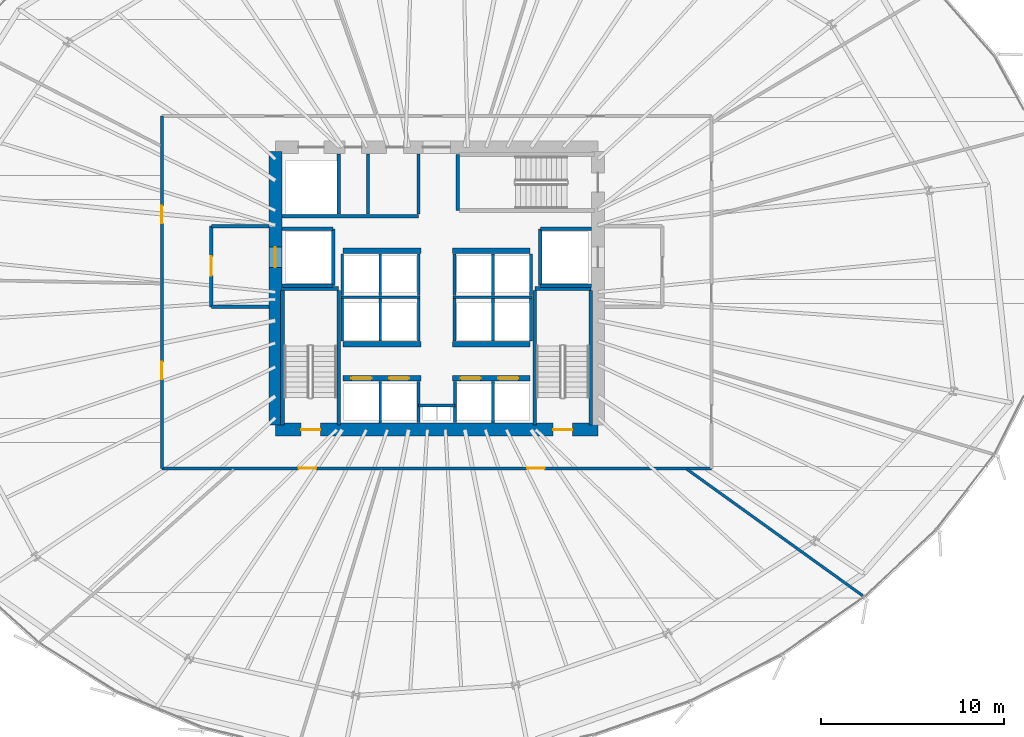
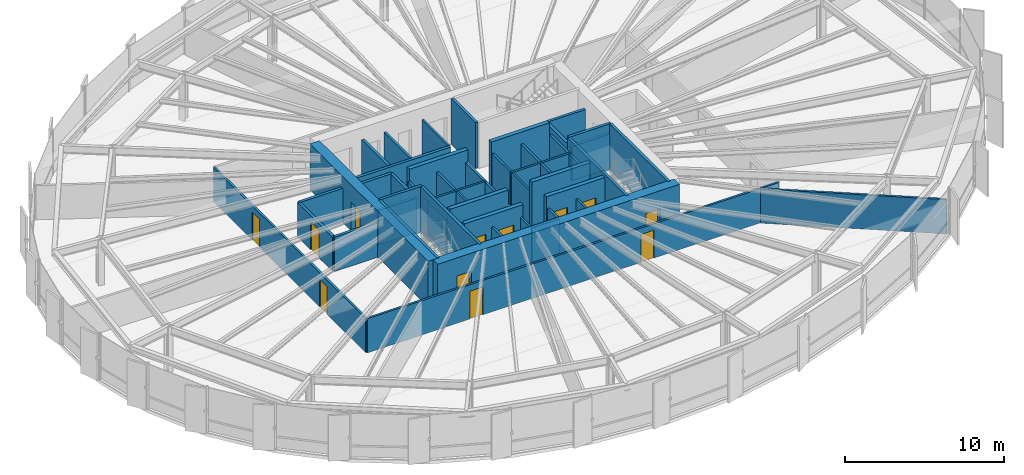
# One storey, part 30 of 37: 50 walls, 12 doors, 12 openings.
"""IFC4 building model written with IfcOpenShell, lengths in metres."""

from ifc_helpers import new_model, si_unit, direction, frame, frame_2d, origin, place, context, subcontext, project, spatial, rectangle, extrude, source, transform, mapped, material, layer, layer_set, type_object, element, fill, save


model = new_model("IFC4")

# Units and contexts
model_context = context("Model", 3, precision=1e-05, world=origin(), true_north=direction((0.0, 1.0)))
body_context = subcontext(model_context, "Body", "Model", "MODEL_VIEW")
ifc_project = project(units=[si_unit("LENGTHUNIT", "METRE"), si_unit("AREAUNIT", "SQUARE_METRE"), si_unit("VOLUMEUNIT", "CUBIC_METRE"), si_unit("PLANEANGLEUNIT", "RADIAN"), si_unit("MASSUNIT", "GRAM", prefix="KILO"), si_unit("THERMODYNAMICTEMPERATUREUNIT", "KELVIN")], contexts=[model_context])

# Site, building, storey
site_placement = place(None, origin())
site = spatial("IfcSite", under=ifc_project, at=site_placement, CompositionType="ELEMENT")
building_placement = place(site_placement, origin())
building = spatial("IfcBuilding", under=site, at=building_placement, Name="Kethvar Cultural Tower", CompositionType="ELEMENT")
storey_placement = place(building_placement, frame((0.0, 0.0, 60.0)))
storey = spatial("IfcBuildingStorey", under=building, at=storey_placement, Name="L14", CompositionType="ELEMENT", Elevation=60.0)

# Wall, openings, doors
ifc_material_1 = material(Name="Concrete C60/75", Category="concrete")
ifc_layer_1 = layer(ifc_material_1, 0.699951171875, Name="Concrete C60/75", Category="concrete")
ifc_layer_set_1 = layer_set([ifc_layer_1], Name="Concrete C60/75 (700 mm)")
wall_type_1 = type_object("IfcWallType", Name="WL-CORE-700", PredefinedType="SHEAR", material=ifc_layer_set_1)
wall_1_placement = place(storey_placement, frame((38.0, 20.10009765625, 0.0), z_axis=(0.0, 0.0, 1.0), x_axis=(1.0, 0.0, 0.0)))
wall_1 = element("IfcWall", 1, at=wall_1_placement, inside=storey, type_object=wall_type_1, Name="L14 Core Shear Wall S", PredefinedType="SHEAR", context=body_context, shape_type="SweptSolid", body=[
    extrude(rectangle(XDim=17.60009765625, YDim=0.699951171875, at=frame_2d((8.800048828125, 0.0))), origin(), (0.0, 0.0, 1.0), 3.550048828125),
])
opening_1_placement = place(wall_1_placement, frame((1.39990234375, 0.0, 0.0)))
opening_1 = element("IfcOpeningElement", 2, at=opening_1_placement, cuts=wall_1, Name="Opening D-L14-S1", PredefinedType="OPENING", context=body_context, shape_type="SweptSolid", body=[
    extrude(rectangle(XDim=1.050048828125, YDim=2.14990234375, at=frame_2d((0.52490234375, 1.074951171875))), frame((0.0, 0.35986328125, 0.0), z_axis=(0.0, -1.0, 0.0), x_axis=(1.0, 0.0, 0.0)), (0.0, 0.0, 1.0), 0.719970703125),
])
opening_2_placement = place(wall_1_placement, frame((15.14990234375, 0.0, 0.0)))
opening_2 = element("IfcOpeningElement", 3, at=opening_2_placement, cuts=wall_1, Name="Opening D-L14-ST2", PredefinedType="OPENING", context=body_context, shape_type="SweptSolid", body=[
    extrude(rectangle(XDim=1.050048828125, YDim=2.14990234375, at=frame_2d((0.52490234375, 1.074951171875))), frame((0.0, 0.35986328125, 0.0), z_axis=(0.0, -1.0, 0.0), x_axis=(1.0, 0.0, 0.0)), (0.0, 0.0, 1.0), 0.719970703125),
])
ifc_material_2 = material(Name="Steel S355J2", Category="steel")
door_type_1 = type_object("IfcDoorType", Name="DR-FD60-1050", OperationType="NOTDEFINED", PredefinedType="DOOR", material=ifc_material_2)
shared_shape_1 = source(origin(), body_context, "Body", "SweptSolid", [
    extrude(rectangle(XDim=1.050048828125, YDim=2.14990234375, at=frame_2d((0.52490234375, 1.074951171875))), frame((0.0, 0.02490234375, 0.0), z_axis=(0.0, -1.0, 0.0), x_axis=(1.0, 0.0, 0.0)), (0.0, 0.0, 1.0), 0.050048828125),
])
door_1_placement = place(opening_1_placement, origin())
door_1 = element("IfcDoor", 4, at=door_1_placement, inside=storey, type_object=door_type_1, Name="L14 Exit Stair 1 Door", OperationType="SINGLE_SWING_LEFT", OverallHeight=2.14990234375, OverallWidth=1.050048828125, PredefinedType="DOOR", context=body_context, shape_type="MappedRepresentation", body=[
    mapped(shared_shape_1, transform((0.0, 0.0, 0.0), scale=1.0)),
])
fill(opening_1, door_1)
door_2_placement = place(opening_2_placement, origin())
door_2 = element("IfcDoor", 5, at=door_2_placement, inside=storey, type_object=door_type_1, Name="L14 Exit Stair 2 Door", OperationType="SINGLE_SWING_RIGHT", OverallHeight=2.14990234375, OverallWidth=1.050048828125, PredefinedType="DOOR", context=body_context, shape_type="MappedRepresentation", body=[
    mapped(shared_shape_1, transform((0.0, 0.0, 0.0), scale=1.0)),
])
fill(opening_2, door_2)

# Wall, opening, door
wall_2_placement = place(storey_placement, frame((38.0, 35.260009765625, 0.0), z_axis=(0.0, 0.0, 1.0), x_axis=(0.0, -1.0, 0.0)))
wall_2 = element("IfcWall", 6, at=wall_2_placement, inside=storey, type_object=wall_type_1, Name="L14 Core Shear Wall W", PredefinedType="SHEAR", context=body_context, shape_type="SweptSolid", body=[
    extrude(rectangle(XDim=14.919921875, YDim=0.699951171875, at=frame_2d((7.4599609375, 0.0))), origin(), (0.0, 0.0, 1.0), 3.550048828125),
])
opening_3_placement = place(wall_2_placement, frame((5.2099609375, 0.0, 0.0)))
opening_3 = element("IfcOpeningElement", 7, at=opening_3_placement, cuts=wall_2, Name="Opening LD-1", PredefinedType="OPENING", context=body_context, shape_type="SweptSolid", body=[
    extrude(rectangle(XDim=1.10009765625, YDim=2.199951171875, at=frame_2d((0.550048828125, 1.10009765625))), frame((0.0, 0.35986328125, 0.0), z_axis=(0.0, -1.0, 0.0), x_axis=(1.0, 0.0, 0.0)), (0.0, 0.0, 1.0), 0.719970703125),
])
door_type_2 = type_object("IfcDoorType", Name="DR-LIFT-SLIDE-1100", OperationType="NOTDEFINED", PredefinedType="DOOR", material=ifc_material_2)
shared_shape_2 = source(origin(), body_context, "Body", "SweptSolid", [
    extrude(rectangle(XDim=1.10009765625, YDim=2.199951171875, at=frame_2d((0.550048828125, 1.10009765625))), frame((0.0, 0.02490234375, 0.0), z_axis=(0.0, -1.0, 0.0), x_axis=(1.0, 0.0, 0.0)), (0.0, 0.0, 1.0), 0.050048828125),
])
door_3_placement = place(opening_3_placement, origin())
door_3 = element("IfcDoor", 8, at=door_3_placement, inside=storey, type_object=door_type_2, Name="L14 Firefighting Lift Landing Door FFL-01", OperationType="SLIDING_TO_LEFT", OverallHeight=2.199951171875, OverallWidth=1.10009765625, PredefinedType="DOOR", context=body_context, shape_type="MappedRepresentation", body=[
    mapped(shared_shape_2, transform((0.0, 0.0, 0.0), scale=1.0)),
])
fill(opening_3, door_3)

# Walls
ifc_material_3 = material(Name="Gypsum Fireboard Partition")
ifc_layer_2 = layer(ifc_material_3, 0.14990234375, Name="Gypsum Fireboard Partition")
ifc_layer_set_2 = layer_set([ifc_layer_2], Name="Gypsum Fireboard Partition (150 mm)")
wall_type_2 = type_object("IfcWallType", Name="WL-FIRE-150", PredefinedType="PARTITIONING", material=ifc_layer_set_2)
wall_3_placement = place(storey_placement, frame((45.800048828125, 21.419921875, 0.0), z_axis=(0.0, 0.0, 1.0), x_axis=(1.0, 0.0, 0.0)))
element("IfcWall", 9, at=wall_3_placement, inside=storey, type_object=wall_type_2, Name="L14 Core Riser Wall", PredefinedType="PARTITIONING", context=body_context, shape_type="SweptSolid", body=[
    extrude(rectangle(XDim=2.0, YDim=0.14990234375, at=frame_2d((1.0, 0.0))), origin(), (0.0, 0.0, 1.0), 2.64501953125),
])
for number, where, z_axis, x_axis, name in (
    (10, (45.800048828125, 20.47998046875, 0.0), (0.0, 0.0, 1.0), (0.0, 1.0, 0.0), "L14 Core Riser West Wall"),
    (11, (47.800048828125, 20.47998046875, 0.0), (0.0, 0.0, 1.0), (0.0, 1.0, 0.0), "L14 Core Riser East Wall"),
):
    element("IfcWall", number, at=place(storey_placement, frame(where, z_axis=z_axis, x_axis=x_axis)), inside=storey, type_object=wall_type_2, Name=name, PredefinedType="PARTITIONING", context=body_context, shape_type="SweptSolid", body=[
        extrude(rectangle(XDim=2.239990234375, YDim=0.14990234375, at=frame_2d((1.1201171875, 0.0))), origin(), (0.0, 0.0, 1.0), 2.64501953125),
    ])
for number, where, z_axis, x_axis, name in (
    (12, (43.72509765625, 20.4599609375, 0.0), (0.0, 0.0, 1.0), (0.0, 1.0, 0.0), "L14 Low-Rise Lift Shaft Divider W"),
    (13, (49.875, 20.4599609375, 0.0), (0.0, 0.0, 1.0), (0.0, 1.0, 0.0), "L14 Low-Rise Lift Shaft Divider E"),
):
    element("IfcWall", number, at=place(storey_placement, frame(where, z_axis=z_axis, x_axis=x_axis)), inside=storey, type_object=wall_type_2, Name=name, PredefinedType="PARTITIONING", context=body_context, shape_type="SweptSolid", body=[
        extrude(rectangle(XDim=2.27001953125, YDim=0.14990234375, at=frame_2d((1.135009765625, 0.0))), origin(), (0.0, 0.0, 1.0), 2.64501953125),
    ])
wall_4_placement = place(storey_placement, frame((41.580078125, 27.324951171875, 0.0), z_axis=(0.0, 0.0, 1.0), x_axis=(1.0, 0.0, 0.0)))
element("IfcWall", 14, at=wall_4_placement, inside=storey, type_object=wall_type_2, Name="L14 Mid-High Lift Shaft Back Wall W", PredefinedType="PARTITIONING", context=body_context, shape_type="SweptSolid", body=[
    extrude(rectangle(XDim=4.31982421875, YDim=0.14990234375, at=frame_2d((2.159912109375, 0.0))), origin(), (0.0, 0.0, 1.0), 2.64501953125),
])
wall_5_placement = place(storey_placement, frame((47.699951171875, 27.324951171875, 0.0), z_axis=(0.0, 0.0, 1.0), x_axis=(1.0, 0.0, 0.0)))
element("IfcWall", 15, at=wall_5_placement, inside=storey, type_object=wall_type_2, Name="L14 Mid-High Lift Shaft Back Wall E", PredefinedType="PARTITIONING", context=body_context, shape_type="SweptSolid", body=[
    extrude(rectangle(XDim=4.320068359375, YDim=0.14990234375, at=frame_2d((2.16015625, 0.0))), origin(), (0.0, 0.0, 1.0), 2.64501953125),
])
for number, where, z_axis, x_axis, name in (
    (16, (41.64990234375, 24.919921875, 0.0), (0.0, 0.0, 1.0), (0.0, 1.0, 0.0), "L14 Mid-Rise Lift Shaft Outer Wall W"),
    (17, (43.72509765625, 24.919921875, 0.0), (0.0, 0.0, 1.0), (0.0, 1.0, 0.0), "L14 Mid-Rise Lift Shaft Divider W"),
    (18, (45.824951171875, 24.919921875, 0.0), (0.0, 0.0, 1.0), (0.0, 1.0, 0.0), "L14 Mid-Rise Lift Shaft Concourse Wall W"),
    (19, (47.77490234375, 24.919921875, 0.0), (0.0, 0.0, 1.0), (0.0, 1.0, 0.0), "L14 Mid-Rise Lift Shaft Concourse Wall E"),
    (20, (49.875, 24.919921875, 0.0), (0.0, 0.0, 1.0), (0.0, 1.0, 0.0), "L14 Mid-Rise Lift Shaft Divider E"),
    (21, (51.949951171875, 24.919921875, 0.0), (0.0, 0.0, 1.0), (0.0, 1.0, 0.0), "L14 Mid-Rise Lift Shaft Outer Wall E"),
):
    element("IfcWall", number, at=place(storey_placement, frame(where, z_axis=z_axis, x_axis=x_axis)), inside=storey, type_object=wall_type_2, Name=name, PredefinedType="PARTITIONING", context=body_context, shape_type="SweptSolid", body=[
        extrude(rectangle(XDim=2.320068359375, YDim=0.14990234375, at=frame_2d((1.16015625, 0.0))), origin(), (0.0, 0.0, 1.0), 2.64501953125),
    ])
for number, where, z_axis, x_axis, name in (
    (22, (41.64990234375, 27.409912109375, 0.0), (0.0, 0.0, 1.0), (0.0, 1.0, 0.0), "L14 High-Rise Lift Shaft Outer Wall W"),
    (23, (43.72509765625, 27.409912109375, 0.0), (0.0, 0.0, 1.0), (0.0, 1.0, 0.0), "L14 High-Rise Lift Shaft Divider W"),
    (24, (45.824951171875, 27.409912109375, 0.0), (0.0, 0.0, 1.0), (0.0, 1.0, 0.0), "L14 High-Rise Lift Shaft Concourse Wall W"),
    (25, (47.77490234375, 27.409912109375, 0.0), (0.0, 0.0, 1.0), (0.0, 1.0, 0.0), "L14 High-Rise Lift Shaft Concourse Wall E"),
    (26, (49.875, 27.409912109375, 0.0), (0.0, 0.0, 1.0), (0.0, 1.0, 0.0), "L14 High-Rise Lift Shaft Divider E"),
    (27, (51.949951171875, 27.409912109375, 0.0), (0.0, 0.0, 1.0), (0.0, 1.0, 0.0), "L14 High-Rise Lift Shaft Outer Wall E"),
):
    element("IfcWall", number, at=place(storey_placement, frame(where, z_axis=z_axis, x_axis=x_axis)), inside=storey, type_object=wall_type_2, Name=name, PredefinedType="PARTITIONING", context=body_context, shape_type="SweptSolid", body=[
        extrude(rectangle(XDim=2.27001953125, YDim=0.14990234375, at=frame_2d((1.135009765625, 0.0))), origin(), (0.0, 0.0, 1.0), 2.64501953125),
    ])
wall_6_placement = place(storey_placement, frame((45.800048828125, 31.85009765625, 0.0), z_axis=(0.0, 0.0, 1.0), x_axis=(0.0, 1.0, 0.0)))
element("IfcWall", 28, at=wall_6_placement, inside=storey, type_object=wall_type_2, Name="L14 Sanitary Spine Wall", PredefinedType="PARTITIONING", context=body_context, shape_type="SweptSolid", body=[
    extrude(rectangle(XDim=3.289794921875, YDim=0.14990234375, at=frame_2d((1.64501953125, 0.0))), origin(), (0.0, 0.0, 1.0), 2.64501953125),
])

# Wall, openings, doors
wall_7_placement = place(storey_placement, frame((31.81005859375, 17.97998046875, 0.0), z_axis=(0.0, 0.0, 1.0), x_axis=(1.0, 0.0, 0.0)))
wall_7 = element("IfcWall", 29, at=wall_7_placement, inside=storey, type_object=wall_type_2, Name="L14 Corridor Rated Wall S", PredefinedType="PARTITIONING", context=body_context, shape_type="SweptSolid", body=[
    extrude(rectangle(XDim=29.97998046875, YDim=0.14990234375, at=frame_2d((14.989990234375, 0.0))), origin(), (0.0, 0.0, 1.0), 2.64501953125),
])
opening_4_placement = place(wall_7_placement, frame((7.461181640625, 0.0, 0.0)))
opening_4 = element("IfcOpeningElement", 30, at=opening_4_placement, cuts=wall_7, Name="Opening D-L14-01", PredefinedType="OPENING", context=body_context, shape_type="SweptSolid", body=[
    extrude(rectangle(XDim=0.949951171875, YDim=2.14990234375, at=frame_2d((0.47509765625, 1.074951171875))), frame((0.0, 0.0849609375, 0.0), z_axis=(0.0, -1.0, 0.0), x_axis=(1.0, 0.0, 0.0)), (0.0, 0.0, 1.0), 0.169921875),
])
opening_5_placement = place(wall_7_placement, frame((19.92724609375, 0.0, 0.0)))
opening_5 = element("IfcOpeningElement", 31, at=opening_5_placement, cuts=wall_7, Name="Opening D-L14-02", PredefinedType="OPENING", context=body_context, shape_type="SweptSolid", body=[
    extrude(rectangle(XDim=0.949951171875, YDim=2.14990234375, at=frame_2d((0.47509765625, 1.074951171875))), frame((0.0, 0.0849609375, 0.0), z_axis=(0.0, -1.0, 0.0), x_axis=(1.0, 0.0, 0.0)), (0.0, 0.0, 1.0), 0.169921875),
])
ifc_material_4 = material(Name="Architectural Oak Timber", Category="wood")
door_type_3 = type_object("IfcDoorType", Name="DR-FD30-950", OperationType="NOTDEFINED", PredefinedType="DOOR", material=ifc_material_4)
shared_shape_3 = source(origin(), body_context, "Body", "SweptSolid", [
    extrude(rectangle(XDim=0.949951171875, YDim=2.14990234375, at=frame_2d((0.47509765625, 1.074951171875))), frame((0.0, 0.02490234375, 0.0), z_axis=(0.0, -1.0, 0.0), x_axis=(1.0, 0.0, 0.0)), (0.0, 0.0, 1.0), 0.050048828125),
])
door_4_placement = place(opening_4_placement, origin())
door_4 = element("IfcDoor", 32, at=door_4_placement, inside=storey, type_object=door_type_3, Name="L14 Contemporary Art Salon 01 Door", OperationType="SINGLE_SWING_LEFT", OverallHeight=2.14990234375, OverallWidth=0.949951171875, PredefinedType="DOOR", context=body_context, shape_type="MappedRepresentation", body=[
    mapped(shared_shape_3, transform((0.0, 0.0, 0.0), scale=1.0)),
])
fill(opening_4, door_4)
door_5_placement = place(opening_5_placement, origin())
door_5 = element("IfcDoor", 33, at=door_5_placement, inside=storey, type_object=door_type_3, Name="L14 Main Public Reading Library 02 Door", OperationType="SINGLE_SWING_RIGHT", OverallHeight=2.14990234375, OverallWidth=0.949951171875, PredefinedType="DOOR", context=body_context, shape_type="MappedRepresentation", body=[
    mapped(shared_shape_3, transform((0.0, 0.0, 0.0), scale=1.0)),
])
fill(opening_5, door_5)

wall_8_placement = place(storey_placement, frame((31.81005859375, 37.199951171875, 0.0), z_axis=(0.0, 0.0, 1.0), x_axis=(0.0, -1.0, 0.0)))
wall_8 = element("IfcWall", 34, at=wall_8_placement, inside=storey, type_object=wall_type_2, Name="L14 Corridor Rated Wall W", PredefinedType="PARTITIONING", context=body_context, shape_type="SweptSolid", body=[
    extrude(rectangle(XDim=19.219970703125, YDim=0.14990234375, at=frame_2d((9.60986328125, 0.0))), origin(), (0.0, 0.0, 1.0), 2.64501953125),
])
opening_6_placement = place(wall_8_placement, frame((4.90087890625, 0.0, 0.0)))
opening_6 = element("IfcOpeningElement", 35, at=opening_6_placement, cuts=wall_8, Name="Opening D-L14-09", PredefinedType="OPENING", context=body_context, shape_type="SweptSolid", body=[
    extrude(rectangle(XDim=0.949951171875, YDim=2.14990234375, at=frame_2d((0.47509765625, 1.074951171875))), frame((0.0, 0.0849609375, 0.0), z_axis=(0.0, -1.0, 0.0), x_axis=(1.0, 0.0, 0.0)), (0.0, 0.0, 1.0), 0.169921875),
])
opening_7_placement = place(wall_8_placement, frame((13.410888671875, 0.0, 0.0)))
opening_7 = element("IfcOpeningElement", 36, at=opening_7_placement, cuts=wall_8, Name="Opening D-L14-10", PredefinedType="OPENING", context=body_context, shape_type="SweptSolid", body=[
    extrude(rectangle(XDim=0.949951171875, YDim=2.14990234375, at=frame_2d((0.47509765625, 1.074951171875))), frame((0.0, 0.0849609375, 0.0), z_axis=(0.0, -1.0, 0.0), x_axis=(1.0, 0.0, 0.0)), (0.0, 0.0, 1.0), 0.169921875),
])
door_6_placement = place(opening_6_placement, origin())
door_6 = element("IfcDoor", 37, at=door_6_placement, inside=storey, type_object=door_type_3, Name="L14 Fellowship Seminar Room 09 Door", OperationType="SINGLE_SWING_LEFT", OverallHeight=2.14990234375, OverallWidth=0.949951171875, PredefinedType="DOOR", context=body_context, shape_type="MappedRepresentation", body=[
    mapped(shared_shape_3, transform((0.0, 0.0, 0.0), scale=1.0)),
])
fill(opening_6, door_6)
door_7_placement = place(opening_7_placement, origin())
door_7 = element("IfcDoor", 38, at=door_7_placement, inside=storey, type_object=door_type_3, Name="L14 Editorial Partner Office 10 Door", OperationType="SINGLE_SWING_RIGHT", OverallHeight=2.14990234375, OverallWidth=0.949951171875, PredefinedType="DOOR", context=body_context, shape_type="MappedRepresentation", body=[
    mapped(shared_shape_3, transform((0.0, 0.0, 0.0), scale=1.0)),
])
fill(opening_7, door_7)

# Walls
ifc_material_5 = material(Name="Concrete C40/50", Category="concrete")
ifc_layer_3 = layer(ifc_material_5, 0.199951171875, Name="Concrete C40/50", Category="concrete")
ifc_layer_set_3 = layer_set([ifc_layer_3], Name="Concrete C40/50 (200 mm)")
wall_type_3 = type_object("IfcWallType", Name="WL-FIRE-200", PredefinedType="PARTITIONING", material=ifc_layer_set_3)
wall_9_placement = place(storey_placement, frame((41.14990234375, 27.949951171875, 0.0), z_axis=(0.0, 0.0, 1.0), x_axis=(0.0, 1.0, 0.0)))
element("IfcWall", 39, at=wall_9_placement, inside=storey, type_object=wall_type_3, Name="L14 FFL-01 Shaft Inner Wall", PredefinedType="PARTITIONING", context=body_context, shape_type="SweptSolid", body=[
    extrude(rectangle(XDim=3.10009765625, YDim=0.199951171875, at=frame_2d((1.550048828125, 0.0))), origin(), (0.0, 0.0, 1.0), 2.64501953125),
])
for number, where, z_axis, x_axis, name in (
    (40, (38.360107421875, 27.949951171875, 0.0), (0.0, 0.0, 1.0), (1.0, 0.0, 0.0), "L14 FFL-01 Shaft South Wall"),
    (41, (38.360107421875, 31.050048828125, 0.0), (0.0, 0.0, 1.0), (1.0, 0.0, 0.0), "L14 FFL-01 Shaft North Wall"),
):
    element("IfcWall", number, at=place(storey_placement, frame(where, z_axis=z_axis, x_axis=x_axis)), inside=storey, type_object=wall_type_3, Name=name, PredefinedType="PARTITIONING", context=body_context, shape_type="SweptSolid", body=[
        extrude(rectangle(XDim=2.789794921875, YDim=0.199951171875, at=frame_2d((1.39501953125, 0.0))), origin(), (0.0, 0.0, 1.0), 2.64501953125),
    ])

# Wall, opening, door
wall_10_placement = place(storey_placement, frame((34.5, 31.199951171875, 0.0), z_axis=(0.0, 0.0, 1.0), x_axis=(0.0, -1.0, 0.0)))
wall_10 = element("IfcWall", 42, at=wall_10_placement, inside=storey, type_object=wall_type_3, Name="L14 Firefighting Lobby 1 Wall", PredefinedType="PARTITIONING", context=body_context, shape_type="SweptSolid", body=[
    extrude(rectangle(XDim=4.39990234375, YDim=0.199951171875, at=frame_2d((2.199951171875, 0.0))), origin(), (0.0, 0.0, 1.0), 2.64501953125),
])
opening_8_placement = place(wall_10_placement, frame((1.64990234375, 0.0, 0.0)))
opening_8 = element("IfcOpeningElement", 43, at=opening_8_placement, cuts=wall_10, Name="Opening D-L14-F1", PredefinedType="OPENING", context=body_context, shape_type="SweptSolid", body=[
    extrude(rectangle(XDim=1.050048828125, YDim=2.14990234375, at=frame_2d((0.52490234375, 1.074951171875))), frame((0.0, 0.10986328125, 0.0), z_axis=(0.0, -1.0, 0.0), x_axis=(1.0, 0.0, 0.0)), (0.0, 0.0, 1.0), 0.219970703125),
])
door_8_placement = place(opening_8_placement, origin())
door_8 = element("IfcDoor", 44, at=door_8_placement, inside=storey, type_object=door_type_1, Name="L14 Firefighting Lobby 1 Fire Door", OperationType="SINGLE_SWING_LEFT", OverallHeight=2.14990234375, OverallWidth=1.050048828125, PredefinedType="DOOR", context=body_context, shape_type="MappedRepresentation", body=[
    mapped(shared_shape_1, transform((0.0, 0.0, 0.0), scale=1.0)),
])
fill(opening_8, door_8)

# Walls
for number, where, z_axis, x_axis, name in (
    (45, (34.5, 26.800048828125, 0.0), (0.0, 0.0, 1.0), (1.0, 0.0, 0.0), "L14 FF Lobby 1 South Wall"),
    (46, (34.5, 31.199951171875, 0.0), (0.0, 0.0, 1.0), (1.0, 0.0, 0.0), "L14 FF Lobby 1 North Wall"),
):
    element("IfcWall", number, at=place(storey_placement, frame(where, z_axis=z_axis, x_axis=x_axis)), inside=storey, type_object=wall_type_3, Name=name, PredefinedType="PARTITIONING", context=body_context, shape_type="SweptSolid", body=[
        extrude(rectangle(XDim=3.139892578125, YDim=0.199951171875, at=frame_2d((1.56982421875, 0.0))), origin(), (0.0, 0.0, 1.0), 2.64501953125),
    ])
wall_11_placement = place(storey_placement, frame((52.449951171875, 27.949951171875, 0.0), z_axis=(0.0, 0.0, 1.0), x_axis=(0.0, 1.0, 0.0)))
element("IfcWall", 47, at=wall_11_placement, inside=storey, type_object=wall_type_3, Name="L14 FFL-02 Shaft Inner Wall", PredefinedType="PARTITIONING", context=body_context, shape_type="SweptSolid", body=[
    extrude(rectangle(XDim=3.10009765625, YDim=0.199951171875, at=frame_2d((1.550048828125, 0.0))), origin(), (0.0, 0.0, 1.0), 2.64501953125),
])
for number, where, z_axis, x_axis, name in (
    (48, (52.449951171875, 27.949951171875, 0.0), (0.0, 0.0, 1.0), (1.0, 0.0, 0.0), "L14 FFL-02 Shaft South Wall"),
    (49, (52.449951171875, 31.050048828125, 0.0), (0.0, 0.0, 1.0), (1.0, 0.0, 0.0), "L14 FFL-02 Shaft North Wall"),
):
    element("IfcWall", number, at=place(storey_placement, frame(where, z_axis=z_axis, x_axis=x_axis)), inside=storey, type_object=wall_type_3, Name=name, PredefinedType="PARTITIONING", context=body_context, shape_type="SweptSolid", body=[
        extrude(rectangle(XDim=2.7900390625, YDim=0.199951171875, at=frame_2d((1.39501953125, 0.0))), origin(), (0.0, 0.0, 1.0), 2.64501953125),
    ])
wall_12_placement = place(storey_placement, frame((41.449951171875, 31.85009765625, 0.0), z_axis=(0.0, 0.0, 1.0), x_axis=(0.0, 1.0, 0.0)))
element("IfcWall", 50, at=wall_12_placement, inside=storey, type_object=wall_type_3, Name="L14 NW Core Pocket Wall", PredefinedType="PARTITIONING", context=body_context, shape_type="SweptSolid", body=[
    extrude(rectangle(XDim=3.289794921875, YDim=0.199951171875, at=frame_2d((1.64501953125, 0.0))), origin(), (0.0, 0.0, 1.0), 2.64501953125),
])
wall_13_placement = place(storey_placement, frame((38.360107421875, 31.72998046875, 0.0), z_axis=(0.0, 0.0, 1.0), x_axis=(1.0, 0.0, 0.0)))
element("IfcWall", 51, at=wall_13_placement, inside=storey, type_object=wall_type_3, Name="L14 North Core Sanitary South Wall", PredefinedType="PARTITIONING", context=body_context, shape_type="SweptSolid", body=[
    extrude(rectangle(XDim=7.43994140625, YDim=0.199951171875, at=frame_2d((3.719970703125, 0.0))), origin(), (0.0, 0.0, 1.0), 2.64501953125),
])
ifc_material_6 = material(Name="Gypsum Acoustic Partition")
ifc_layer_4 = layer(ifc_material_6, 0.14990234375, Name="Gypsum Acoustic Partition")
ifc_layer_set_4 = layer_set([ifc_layer_4], Name="Gypsum Acoustic Partition (150 mm)")
wall_type_4 = type_object("IfcWallType", Name="WL-PART-150", PredefinedType="PARTITIONING", material=ifc_layer_set_4)
wall_14_placement = place(storey_placement, frame((60.45751953125, 17.933349609375, 0.0), z_axis=(0.0, 0.0, 1.0), x_axis=(0.811709736276, -0.584061044785, 0.0)))
element("IfcWall", 52, at=wall_14_placement, inside=storey, type_object=wall_type_4, Name="L14 Radial Partition Wall 03", PredefinedType="PARTITIONING", context=body_context, shape_type="SweptSolid", body=[
    extrude(rectangle(XDim=11.799072265625, YDim=0.14990234375, at=frame_2d((5.8994140625, 0.0))), origin(), (0.0, 0.0, 1.0), 2.64501953125),
])
ifc_material_7 = material(Name="Moisture-Resistant Sanitary Chase Wall")
ifc_layer_5 = layer(ifc_material_7, 0.14990234375, Name="Moisture-Resistant Sanitary Chase Wall")
ifc_layer_set_5 = layer_set([ifc_layer_5], Name="Moisture-Resistant Sanitary Chase Wall (150 mm)")
wall_type_5 = type_object("IfcWallType", Name="WL-PLUMB-150", PredefinedType="PLUMBINGWALL", material=ifc_layer_set_5)
wall_15_placement = place(storey_placement, frame((43.050048828125, 31.85009765625, 0.0), z_axis=(0.0, 0.0, 1.0), x_axis=(0.0, 1.0, 0.0)))
element("IfcWall", 53, at=wall_15_placement, inside=storey, type_object=wall_type_5, Name="L14 Sanitary Plumbing Wall", PredefinedType="PLUMBINGWALL", context=body_context, shape_type="SweptSolid", body=[
    extrude(rectangle(XDim=3.289794921875, YDim=0.14990234375, at=frame_2d((1.64501953125, 0.0))), origin(), (0.0, 0.0, 1.0), 2.64501953125),
])

# Wall, openings, doors
ifc_material_8 = material(Name="Concrete C50/60", Category="concrete")
ifc_layer_6 = layer(ifc_material_8, 0.300048828125, Name="Concrete C50/60", Category="concrete")
ifc_layer_set_6 = layer_set([ifc_layer_6], Name="Concrete C50/60 (300 mm)")
wall_type_6 = type_object("IfcWallType", Name="WL-SHAFT-300", PredefinedType="SHEAR", material=ifc_layer_set_6)
wall_16_placement = place(storey_placement, frame((41.699951171875, 22.89990234375, 0.0), z_axis=(0.0, 0.0, 1.0), x_axis=(1.0, 0.0, 0.0)))
wall_16 = element("IfcWall", 54, at=wall_16_placement, inside=storey, type_object=wall_type_6, Name="L14 Core Lift Spine Wall MID1W", PredefinedType="SHEAR", context=body_context, shape_type="SweptSolid", body=[
    extrude(rectangle(XDim=4.25, YDim=0.300048828125, at=frame_2d((2.125, 0.0))), origin(), (0.0, 0.0, 1.0), 3.550048828125),
])
opening_9_placement = place(wall_16_placement, frame((0.449951171875, 0.0, 0.0)))
opening_9 = element("IfcOpeningElement", 55, at=opening_9_placement, cuts=wall_16, Name="Opening LD-L1", PredefinedType="OPENING", context=body_context, shape_type="SweptSolid", body=[
    extrude(rectangle(XDim=1.10009765625, YDim=2.199951171875, at=frame_2d((0.550048828125, 1.10009765625))), frame((0.0, 0.159912109375, 0.0), z_axis=(0.0, -1.0, 0.0), x_axis=(1.0, 0.0, 0.0)), (0.0, 0.0, 1.0), 0.320068359375),
])
opening_10_placement = place(wall_16_placement, frame((2.5, 0.0, 0.0)))
opening_10 = element("IfcOpeningElement", 56, at=opening_10_placement, cuts=wall_16, Name="Opening LD-L2", PredefinedType="OPENING", context=body_context, shape_type="SweptSolid", body=[
    extrude(rectangle(XDim=1.10009765625, YDim=2.199951171875, at=frame_2d((0.550048828125, 1.10009765625))), frame((0.0, 0.159912109375, 0.0), z_axis=(0.0, -1.0, 0.0), x_axis=(1.0, 0.0, 0.0)), (0.0, 0.0, 1.0), 0.320068359375),
])
door_9_placement = place(opening_9_placement, origin())
door_9 = element("IfcDoor", 57, at=door_9_placement, inside=storey, type_object=door_type_2, Name="L14 Low-Rise Lift Landing Door L1", OperationType="SLIDING_TO_LEFT", OverallHeight=2.199951171875, OverallWidth=1.10009765625, PredefinedType="DOOR", context=body_context, shape_type="MappedRepresentation", body=[
    mapped(shared_shape_2, transform((0.0, 0.0, 0.0), scale=1.0)),
])
fill(opening_9, door_9)
door_10_placement = place(opening_10_placement, origin())
door_10 = element("IfcDoor", 58, at=door_10_placement, inside=storey, type_object=door_type_2, Name="L14 Low-Rise Lift Landing Door L2", OperationType="SLIDING_TO_LEFT", OverallHeight=2.199951171875, OverallWidth=1.10009765625, PredefinedType="DOOR", context=body_context, shape_type="MappedRepresentation", body=[
    mapped(shared_shape_2, transform((0.0, 0.0, 0.0), scale=1.0)),
])
fill(opening_10, door_10)

wall_17_placement = place(storey_placement, frame((47.64990234375, 22.89990234375, 0.0), z_axis=(0.0, 0.0, 1.0), x_axis=(1.0, 0.0, 0.0)))
wall_17 = element("IfcWall", 59, at=wall_17_placement, inside=storey, type_object=wall_type_6, Name="L14 Core Lift Spine Wall MID1E", PredefinedType="SHEAR", context=body_context, shape_type="SweptSolid", body=[
    extrude(rectangle(XDim=4.25, YDim=0.300048828125, at=frame_2d((2.125, 0.0))), origin(), (0.0, 0.0, 1.0), 3.550048828125),
])
opening_11_placement = place(wall_17_placement, frame((0.449951171875, 0.0, 0.0)))
opening_11 = element("IfcOpeningElement", 60, at=opening_11_placement, cuts=wall_17, Name="Opening LD-L3", PredefinedType="OPENING", context=body_context, shape_type="SweptSolid", body=[
    extrude(rectangle(XDim=1.10009765625, YDim=2.199951171875, at=frame_2d((0.550048828125, 1.10009765625))), frame((0.0, 0.159912109375, 0.0), z_axis=(0.0, -1.0, 0.0), x_axis=(1.0, 0.0, 0.0)), (0.0, 0.0, 1.0), 0.320068359375),
])
opening_12_placement = place(wall_17_placement, frame((2.5, 0.0, 0.0)))
opening_12 = element("IfcOpeningElement", 61, at=opening_12_placement, cuts=wall_17, Name="Opening LD-L4", PredefinedType="OPENING", context=body_context, shape_type="SweptSolid", body=[
    extrude(rectangle(XDim=1.10009765625, YDim=2.199951171875, at=frame_2d((0.550048828125, 1.10009765625))), frame((0.0, 0.159912109375, 0.0), z_axis=(0.0, -1.0, 0.0), x_axis=(1.0, 0.0, 0.0)), (0.0, 0.0, 1.0), 0.320068359375),
])
door_11_placement = place(opening_11_placement, origin())
door_11 = element("IfcDoor", 62, at=door_11_placement, inside=storey, type_object=door_type_2, Name="L14 Low-Rise Lift Landing Door L3", OperationType="SLIDING_TO_LEFT", OverallHeight=2.199951171875, OverallWidth=1.10009765625, PredefinedType="DOOR", context=body_context, shape_type="MappedRepresentation", body=[
    mapped(shared_shape_2, transform((0.0, 0.0, 0.0), scale=1.0)),
])
fill(opening_11, door_11)
door_12_placement = place(opening_12_placement, origin())
door_12 = element("IfcDoor", 63, at=door_12_placement, inside=storey, type_object=door_type_2, Name="L14 Low-Rise Lift Landing Door L4", OperationType="SLIDING_TO_LEFT", OverallHeight=2.199951171875, OverallWidth=1.10009765625, PredefinedType="DOOR", context=body_context, shape_type="MappedRepresentation", body=[
    mapped(shared_shape_2, transform((0.0, 0.0, 0.0), scale=1.0)),
])
fill(opening_12, door_12)

# Walls
for number, where, z_axis, x_axis, name in (
    (64, (41.699951171875, 24.75, 0.0), (0.0, 0.0, 1.0), (1.0, 0.0, 0.0), "L14 Core Lift Spine Wall MID2W"),
    (65, (47.64990234375, 24.75, 0.0), (0.0, 0.0, 1.0), (1.0, 0.0, 0.0), "L14 Core Lift Spine Wall MID2E"),
    (66, (41.699951171875, 29.85009765625, 0.0), (0.0, 0.0, 1.0), (1.0, 0.0, 0.0), "L14 Core Lift Spine Wall MID3W"),
    (67, (47.64990234375, 29.85009765625, 0.0), (0.0, 0.0, 1.0), (1.0, 0.0, 0.0), "L14 Core Lift Spine Wall MID3E"),
):
    element("IfcWall", number, at=place(storey_placement, frame(where, z_axis=z_axis, x_axis=x_axis)), inside=storey, type_object=wall_type_6, Name=name, PredefinedType="SHEAR", context=body_context, shape_type="SweptSolid", body=[
        extrude(rectangle(XDim=4.25, YDim=0.300048828125, at=frame_2d((2.125, 0.0))), origin(), (0.0, 0.0, 1.0), 3.550048828125),
    ])
ifc_layer_7 = layer(ifc_material_8, 0.199951171875, Name="Concrete C50/60", Category="concrete")
ifc_layer_set_7 = layer_set([ifc_layer_7], Name="Concrete C50/60 (200 mm)")
wall_type_7 = type_object("IfcWallType", Name="WL-STSHAFT-200", PredefinedType="SHEAR", material=ifc_layer_set_7)
wall_18_placement = place(storey_placement, frame((38.389892578125, 27.800048828125, 0.0), z_axis=(0.0, 0.0, 1.0), x_axis=(1.0, 0.0, 0.0)))
element("IfcWall", 68, at=wall_18_placement, inside=storey, type_object=wall_type_7, Name="L14 ST-01 Stair Shaft Wall FAR", PredefinedType="SHEAR", context=body_context, shape_type="SweptSolid", body=[
    extrude(rectangle(XDim=3.06005859375, YDim=0.199951171875, at=frame_2d((1.530029296875, 0.0))), origin(), (0.0, 0.0, 1.0), 3.550048828125),
])
for number, where, z_axis, x_axis, name in (
    (69, (41.449951171875, 27.699951171875, 0.0), (0.0, 0.0, 1.0), (0.0, -1.0, 0.0), "L14 ST-01 Stair Shaft Wall LEFT"),
    (70, (38.389892578125, 20.35009765625, 0.0), (0.0, 0.0, 1.0), (0.0, 1.0, 0.0), "L14 ST-01 Stair Shaft Wall RIGHT"),
):
    element("IfcWall", number, at=place(storey_placement, frame(where, z_axis=z_axis, x_axis=x_axis)), inside=storey, type_object=wall_type_7, Name=name, PredefinedType="SHEAR", context=body_context, shape_type="SweptSolid", body=[
        extrude(rectangle(XDim=7.349853515625, YDim=0.199951171875, at=frame_2d((3.6748046875, 0.0))), origin(), (0.0, 0.0, 1.0), 3.550048828125),
    ])
wall_19_placement = place(storey_placement, frame((52.14990234375, 27.800048828125, 0.0), z_axis=(0.0, 0.0, 1.0), x_axis=(1.0, 0.0, 0.0)))
element("IfcWall", 71, at=wall_19_placement, inside=storey, type_object=wall_type_7, Name="L14 ST-02 Stair Shaft Wall FAR", PredefinedType="SHEAR", context=body_context, shape_type="SweptSolid", body=[
    extrude(rectangle(XDim=3.06005859375, YDim=0.199951171875, at=frame_2d((1.530029296875, 0.0))), origin(), (0.0, 0.0, 1.0), 3.550048828125),
])
for number, where, z_axis, x_axis, name in (
    (72, (55.2099609375, 27.699951171875, 0.0), (0.0, 0.0, 1.0), (0.0, -1.0, 0.0), "L14 ST-02 Stair Shaft Wall LEFT"),
    (73, (52.14990234375, 20.35009765625, 0.0), (0.0, 0.0, 1.0), (0.0, 1.0, 0.0), "L14 ST-02 Stair Shaft Wall RIGHT"),
):
    element("IfcWall", number, at=place(storey_placement, frame(where, z_axis=z_axis, x_axis=x_axis)), inside=storey, type_object=wall_type_7, Name=name, PredefinedType="SHEAR", context=body_context, shape_type="SweptSolid", body=[
        extrude(rectangle(XDim=7.349853515625, YDim=0.199951171875, at=frame_2d((3.6748046875, 0.0))), origin(), (0.0, 0.0, 1.0), 3.550048828125),
    ])
wall_20_placement = place(storey_placement, frame((47.949951171875, 32.050048828125, 0.0), z_axis=(0.0, 0.0, 1.0), x_axis=(0.0, 1.0, 0.0)))
element("IfcWall", 74, at=wall_20_placement, inside=storey, type_object=wall_type_7, Name="L14 ST-03 Stair Shaft Wall FAR", PredefinedType="SHEAR", context=body_context, shape_type="SweptSolid", body=[
    extrude(rectangle(XDim=3.06005859375, YDim=0.199951171875, at=frame_2d((1.530029296875, 0.0))), origin(), (0.0, 0.0, 1.0), 3.550048828125),
])

save(model, "model.ifc")
